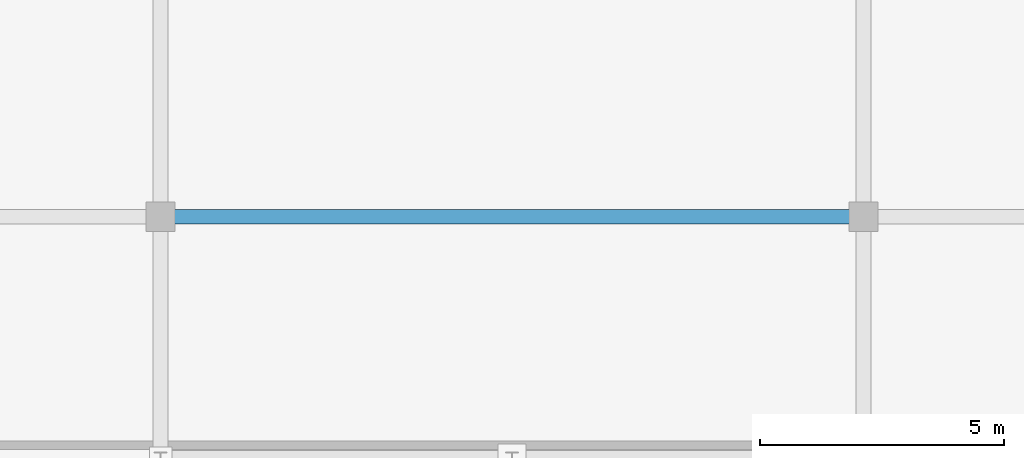
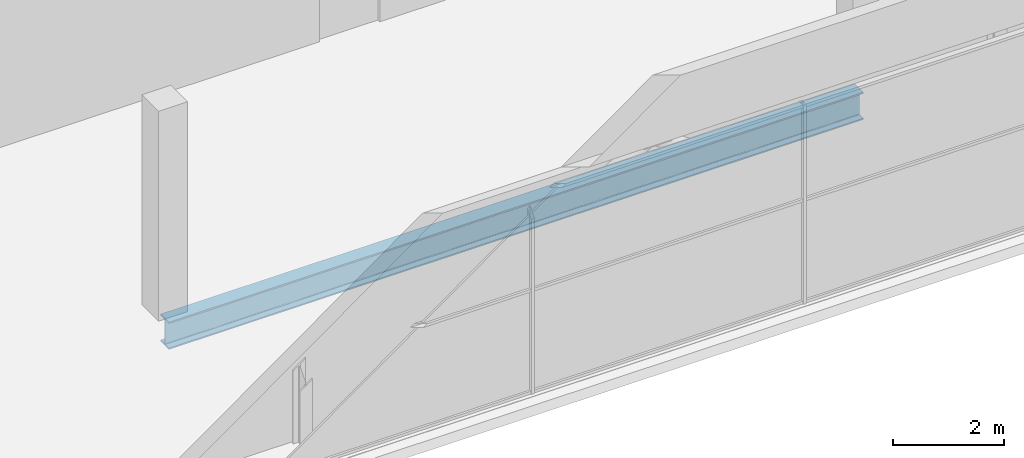
# One storey, part 8 of 22: 1 beam.
"""IFC4 building model written with IfcOpenShell, lengths in metres."""

from ifc_helpers import new_model, si_unit, direction, frame, origin, origin_2d, place, context, subcontext, project, spatial, i_section, extrude, material, material_profile, profile_set, type_object, element, save


model = new_model("IFC4")

# Units and contexts
model_context = context("Model", 3, precision=1e-05, world=origin(), true_north=direction((0.0, 1.0)))
body_context = subcontext(model_context, "Body", "Model", "MODEL_VIEW")
ifc_project = project(units=[si_unit("LENGTHUNIT", "METRE"), si_unit("AREAUNIT", "SQUARE_METRE"), si_unit("VOLUMEUNIT", "CUBIC_METRE"), si_unit("PLANEANGLEUNIT", "RADIAN"), si_unit("MASSUNIT", "GRAM", prefix="KILO")], contexts=[model_context])

# Site, building, storey
site_placement = place(None, origin())
site = spatial("IfcSite", under=ifc_project, at=site_placement, CompositionType="ELEMENT")
building_placement = place(site_placement, origin())
building = spatial("IfcBuilding", under=site, at=building_placement, Name="Zarnakvel Exchange Tower", CompositionType="ELEMENT")
storey_placement = place(building_placement, frame((0.0, 0.0, 299.199951171875)))
storey = spatial("IfcBuildingStorey", under=building, at=storey_placement, Name="Crown L83", CompositionType="ELEMENT", Elevation=299.199951171875)

# Beam
ifc_material = material(Name="Steel S355", Category="steel")
ifc_material_profile = material_profile(ifc_material, i_section(OverallWidth=0.300048828125, OverallDepth=0.60009765625, WebThickness=0.015380859375, FlangeThickness=0.030029296875, FilletRadius=0.027099609375, at=origin_2d()))
ifc_profile_set = profile_set([ifc_material_profile], Name="Steel S355")
beam_type = type_object("IfcBeamType", Name="G-04", PredefinedType="BEAM", material=ifc_profile_set)
beam_placement = place(storey_placement, frame((-7.199951171875, -9.60009765625, -0.52001953125), z_axis=(1.0, 0.0, 0.0), x_axis=(0.0, 1.0, 0.0)))
element("IfcBeam", 1, at=beam_placement, inside=storey, type_object=beam_type, Name="Crown L83 Tower E-W Frame Beam", PredefinedType="BEAM", context=body_context, shape_type="SweptSolid", body=[
    extrude(i_section(OverallWidth=0.300048828125, OverallDepth=0.60009765625, WebThickness=0.015380859375, FlangeThickness=0.030029296875, FilletRadius=0.027099609375, at=origin_2d()), origin(), (0.0, 0.0, 1.0), 14.39990234375),
])

save(model, "model.ifc")
